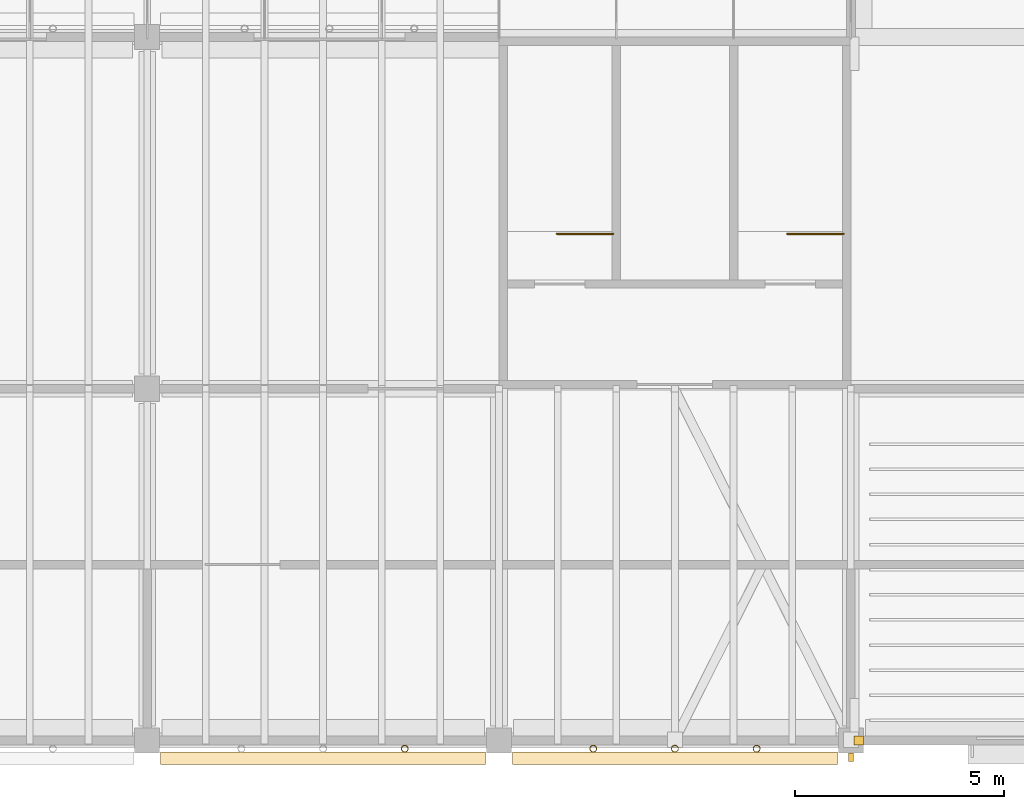
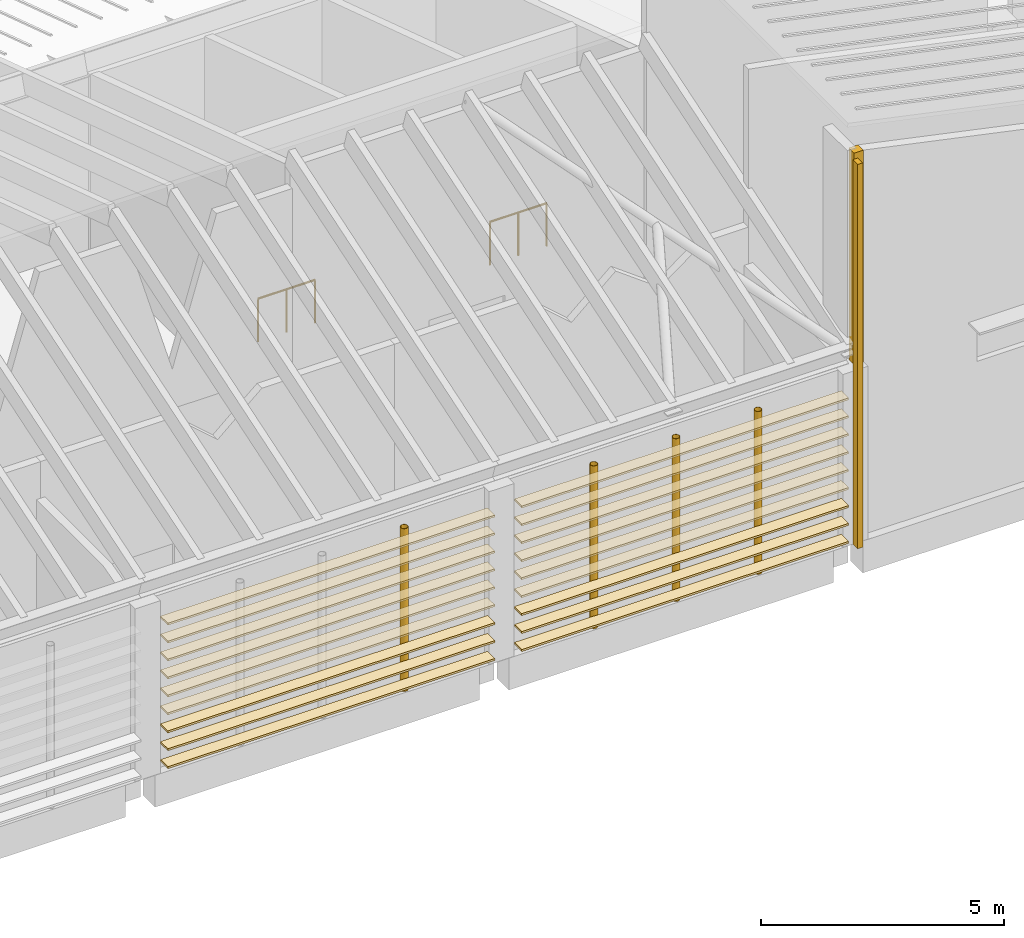
# One storey, part 49 of 59: 19 coverings, 5 shading devices, 2 railings.
"""IFC4 building model written with IfcOpenShell, lengths in metres."""

import ifcopenshell
import ifcopenshell.guid

model = None  # the IFC model being written
_history = None  # IfcOwnerHistory: only IFC2X3 demands one
_inside = {}  # id of a spatial element -> (the spatial element, [elements in it])
_under = {}  # id of a project, library or spatial element -> (it, [spatial elements below it])
_declared = {}  # id of a project -> (the project, [libraries it declares])
_typed = {}  # id of a type object -> (the type object, [elements of that type])
_made_of = {}  # id of a material, layer set ... -> (it, [elements and type objects made of it])


def new_model(schema):
    """Start an empty IFC model of exactly this schema.

    Asked for "IFC4X3", IfcOpenShell would pick the latest addendum, in which some entities
    have other attributes; the version numbers below select the first issue.
    IFC2X3 requires an IfcOwnerHistory on every rooted entity: one is made here for all.
    """
    global model, _history
    if schema == "IFC4X3":
        model = ifcopenshell.file(schema_version=(4, 3, 0, 0))
    else:
        model = ifcopenshell.file(schema=schema)
    _inside.clear()
    _under.clear()
    _declared.clear()
    _typed.clear()
    _made_of.clear()
    _history = None
    if model.schema == "IFC2X3":
        org = make("IfcOrganization", Name="unknown")
        user = make(
            "IfcPersonAndOrganization",
            ThePerson=make("IfcPerson", FamilyName="unknown"),
            TheOrganization=org,
        )
        app = make(
            "IfcApplication",
            ApplicationDeveloper=org,
            Version="unknown",
            ApplicationFullName="unknown",
            ApplicationIdentifier="unknown",
        )
        _history = make(
            "IfcOwnerHistory",
            OwningUser=user,
            OwningApplication=app,
            ChangeAction="ADDED",
            CreationDate=0,
        )
    return model


def make(cls, **values):
    """One entity of the class cls with the attributes given. An attribute that is None is left unset."""
    return model.create_entity(
        cls, **{name: value for name, value in values.items() if value is not None}
    )


def rooted(cls, **values):
    """An entity with a GlobalId (a new one), such as an element, a storey or a relation."""
    return make(cls, GlobalId=ifcopenshell.guid.new(), OwnerHistory=_history, **values)


def si_unit(unit_type, name, prefix=None):
    """IfcSIUnit, for example si_unit("LENGTHUNIT", "METRE", prefix="MILLI")."""
    return make("IfcSIUnit", UnitType=unit_type, Prefix=prefix, Name=name)


def assignment(units):
    """IfcUnitAssignment: the units of a project."""
    return None if units is None else make("IfcUnitAssignment", Units=units)


def point(xyz):
    """IfcCartesianPoint."""
    return None if xyz is None else make("IfcCartesianPoint", Coordinates=xyz)


def direction(xyz):
    """IfcDirection."""
    return None if xyz is None else make("IfcDirection", DirectionRatios=xyz)


def frame(location, z_axis=None, x_axis=None):
    """IfcAxis2Placement3D, a coordinate frame: its origin and axes. An axis left out is left unset."""
    return make(
        "IfcAxis2Placement3D",
        Location=point(location),
        Axis=direction(z_axis),
        RefDirection=direction(x_axis),
    )


def frame_2d(location, x_axis=None):
    """IfcAxis2Placement2D, a coordinate frame in the plane: its origin and x axis."""
    return make(
        "IfcAxis2Placement2D", Location=point(location), RefDirection=direction(x_axis)
    )


def origin():
    """The frame at (0, 0, 0) with its axes left unset."""
    return frame((0.0, 0.0, 0.0))


def origin_2d():
    """The frame at (0, 0) in the plane with its x axis left unset."""
    return frame_2d((0.0, 0.0))


def place(relative_to, where):
    """IfcLocalPlacement: puts the frame where relative to a parent placement (None: the world)."""
    return make(
        "IfcLocalPlacement", PlacementRelTo=relative_to, RelativePlacement=where
    )


def context(
    kind, dimensions, precision=None, world=None, true_north=None, identifier=None
):
    """IfcGeometricRepresentationContext, for example the 3D "Model" context."""
    return make(
        "IfcGeometricRepresentationContext",
        ContextIdentifier=identifier,
        ContextType=kind,
        CoordinateSpaceDimension=dimensions,
        Precision=precision,
        WorldCoordinateSystem=world,
        TrueNorth=true_north,
    )


def subcontext(parent, identifier, kind, view, scale=None):
    """IfcGeometricRepresentationSubContext, for example "Body" below "Model"."""
    return make(
        "IfcGeometricRepresentationSubContext",
        ContextIdentifier=identifier,
        ContextType=kind,
        ParentContext=parent,
        TargetScale=scale,
        TargetView=view,
    )


def project(units=None, contexts=None):
    """IfcProject with its units and contexts."""
    return rooted(
        "IfcProject",
        Name="project",
        RepresentationContexts=contexts,
        UnitsInContext=assignment(units),
    )


def spatial(cls, under=None, at=None, **own):
    """A site, building, storey or space (cls), placed at a placement, below another one or the project."""
    s = rooted(cls, ObjectPlacement=at, **own)
    if under is not None:
        _under.setdefault(under.id(), (under, []))[1].append(s)
    return s


def profile(cls, at=None, kind="AREA", **sizes):
    """A parametric profile (cls). Its sizes go by their IFC names, for example OverallWidth=200.0."""
    return make(cls, ProfileType=kind, Position=at, **sizes)


def rectangle(**sizes):
    """IfcRectangleProfileDef."""
    return profile("IfcRectangleProfileDef", **sizes)


def circle(**sizes):
    """IfcCircleProfileDef."""
    return profile("IfcCircleProfileDef", **sizes)


def hollow_circle(**sizes):
    """IfcCircleHollowProfileDef."""
    return profile("IfcCircleHollowProfileDef", **sizes)


def extrude(swept, where, along, depth):
    """IfcExtrudedAreaSolid: the profile swept, set in the frame where, extruded along a direction by depth."""
    return make(
        "IfcExtrudedAreaSolid",
        SweptArea=swept,
        Position=where,
        ExtrudedDirection=direction(along),
        Depth=depth,
    )


def shape(context_of_items, identifier, shape_type, items):
    """IfcShapeRepresentation: the items that make up one representation, for example the "Body"."""
    return make(
        "IfcShapeRepresentation",
        ContextOfItems=context_of_items,
        RepresentationIdentifier=identifier,
        RepresentationType=shape_type,
        Items=items,
    )


def material(Name=None, Category=None):
    """IfcMaterial."""
    return make("IfcMaterial", Name=Name, Category=Category)


def layer(
    of_material, thickness, ventilated=None, Name=None, Category=None, Priority=None
):
    """IfcMaterialLayer: one layer of a wall or slab, of a material (None: an air gap)."""
    return make(
        "IfcMaterialLayer",
        Material=of_material,
        LayerThickness=thickness,
        IsVentilated=ventilated,
        Name=Name,
        Category=Category,
        Priority=Priority,
    )


def layer_set(layers, Name=None):
    """IfcMaterialLayerSet."""
    return make("IfcMaterialLayerSet", MaterialLayers=layers, LayerSetName=Name)


def material_profile(
    of_material, cross_section, Name=None, Category=None, Priority=None
):
    """IfcMaterialProfile: a cross section and its material."""
    return make(
        "IfcMaterialProfile",
        Name=Name,
        Material=of_material,
        Profile=cross_section,
        Priority=Priority,
        Category=Category,
    )


def profile_set(profiles, Name=None, composite=None):
    """IfcMaterialProfileSet."""
    return make(
        "IfcMaterialProfileSet",
        Name=Name,
        MaterialProfiles=profiles,
        CompositeProfile=composite,
    )


def made_of(thing, what):
    """Note that an element or type object is made of a material, layer set ...; save() writes the relation."""
    if what is not None:
        _made_of.setdefault(what.id(), (what, []))[1].append(thing)
    return thing


def type_object(cls, material=None, **own):
    """A type object (cls), such as IfcWallType, which elements share."""
    return made_of(rooted(cls, **own), material)


def element(
    cls,
    number,
    at=None,
    inside=None,
    cuts=None,
    type_object=None,
    material=None,
    context=None,
    identifier="Body",
    shape_type=None,
    held_by="IfcProductDefinitionShape",
    body=None,
    shapes=None,
    **own,
):
    """One element of the class cls, such as IfcWall. Its Tag is "e" and its number.

    at: its placement. inside: the storey or other place that contains it. cuts: it is an
    opening in that element (IfcRelVoidsElement). A single representation is given by context,
    identifier, shape_type and body (its items); several are given by shapes. held_by: the class
    of the entity that holds the representations. save() writes the other relations.
    """
    e = rooted(cls, Tag="e%d" % number, ObjectPlacement=at, **own)
    if body is not None:
        shapes = [shape(context, identifier, shape_type, body)]
    if shapes is not None:
        e.Representation = make(held_by, Representations=shapes)
    if inside is not None:
        _inside.setdefault(inside.id(), (inside, []))[1].append(e)
    if cuts is not None:
        rooted(
            "IfcRelVoidsElement", RelatingBuildingElement=cuts, RelatedOpeningElement=e
        )
    if type_object is not None:
        _typed.setdefault(type_object.id(), (type_object, []))[1].append(e)
    return made_of(e, material)


def aggregate(whole, parts):
    """IfcRelAggregates: a whole, such as a stair, and the parts it consists of."""
    return rooted("IfcRelAggregates", RelatingObject=whole, RelatedObjects=parts)


def save(model, path):
    """Write the relations noted so far, then the file.

    IfcRelAggregates (storeys below a building ...), IfcRelContainedInSpatialStructure (elements
    in a storey), IfcRelDefinesByType, IfcRelAssociatesMaterial and IfcRelDeclares: one each for
    every whole, place, type object, material and project.
    """
    for whole, parts in _under.values():
        aggregate(whole, parts)
    for where, things in _inside.values():
        rooted(
            "IfcRelContainedInSpatialStructure",
            RelatedElements=things,
            RelatingStructure=where,
        )
    for kind, things in _typed.values():
        rooted("IfcRelDefinesByType", RelatedObjects=things, RelatingType=kind)
    for what, things in _made_of.values():
        rooted("IfcRelAssociatesMaterial", RelatedObjects=things, RelatingMaterial=what)
    for by, libraries in _declared.values():
        rooted("IfcRelDeclares", RelatingContext=by, RelatedDefinitions=libraries)
    model.write(path)


model = new_model("IFC4")

# Units and contexts
model_context = context("Model", 3, precision=1e-05, world=origin(), true_north=direction((0.0, 1.0)))
body_context = subcontext(model_context, "Body", "Model", "MODEL_VIEW")
ifc_project = project(units=[si_unit("LENGTHUNIT", "METRE"), si_unit("AREAUNIT", "SQUARE_METRE"), si_unit("VOLUMEUNIT", "CUBIC_METRE"), si_unit("PLANEANGLEUNIT", "RADIAN"), si_unit("MASSUNIT", "GRAM", prefix="KILO")], contexts=[model_context])

# Site, building, storey
site_placement = place(None, origin())
site = spatial("IfcSite", under=ifc_project, at=site_placement, CompositionType="ELEMENT")
building_placement = place(site_placement, origin())
building = spatial("IfcBuilding", under=site, at=building_placement, Name="Almond Square Museum", CompositionType="ELEMENT")
storey_placement = place(building_placement, frame((0.0, 0.0, 25.0)))
storey = spatial("IfcBuildingStorey", under=building, at=storey_placement, Name="L04", CompositionType="ELEMENT", Elevation=25.0)

# Shading devices
ifc_material_1 = material(Name="Structural steel S355", Category="steel")
ifc_material_profile_1 = material_profile(ifc_material_1, hollow_circle(Radius=0.084228515625, WallThickness=0.008056640625, at=origin_2d()))
ifc_profile_set_1 = profile_set([ifc_material_profile_1], Name="Structural steel S355")
shading_device_type_1 = type_object("IfcShadingDeviceType", Name="Louvre post CHS 168.3 x 8", PredefinedType="USERDEFINED", material=ifc_profile_set_1)
for number, where, z_axis, x_axis, name in (
    (1, (121.35009765625, -0.194091796875, 0.0), (0.0, 0.0, 1.0), (1.0, 0.0, 0.0), "Louvre screen post"),
    (2, (125.85009765625, -0.194091796875, 0.0), (0.0, 0.0, 1.0), (1.0, 0.0, 0.0), "Louvre screen post"),
    (3, (127.800048828125, -0.194091796875, 0.0), (0.0, 0.0, 1.0), (1.0, 0.0, 0.0), "Louvre screen post"),
    (4, (129.75, -0.194091796875, 0.0), (0.0, 0.0, 1.0), (1.0, 0.0, 0.0), "Louvre screen post"),
):
    element("IfcShadingDevice", number, at=place(storey_placement, frame(where, z_axis=z_axis, x_axis=x_axis)), inside=storey, type_object=shading_device_type_1, Name=name, ObjectType="POST", PredefinedType="USERDEFINED", context=body_context, shape_type="SweptSolid", body=[
        extrude(hollow_circle(Radius=0.084228515625, WallThickness=0.008056640625, at=origin_2d()), origin(), (0.0, 0.0, 1.0), 4.08447265625),
    ])

# Coverings
ifc_material_2 = material(Name="Cedar timber louvre board", Category="wood")
ifc_material_profile_2 = material_profile(ifc_material_2, rectangle(XDim=0.300048828125, YDim=0.050048828125, at=origin_2d()))
ifc_profile_set_2 = profile_set([ifc_material_profile_2], Name="Cedar timber louvre board")
covering_type_1 = type_object("IfcCoveringType", Name="Louvre screen board 300 x 50", PredefinedType="CLADDING", material=ifc_profile_set_2)
for number, where, z_axis, x_axis, name in (
    (5, (115.52001953125, -0.42431640625, 0.300048828125), (1.0, 0.0, 0.0), (0.0, 1.0, 0.0), "Louvre screen board"),
    (6, (115.52001953125, -0.42431640625, 0.75), (1.0, 0.0, 0.0), (0.0, 1.0, 0.0), "Louvre screen board"),
    (7, (115.52001953125, -0.42431640625, 1.199951171875), (1.0, 0.0, 0.0), (0.0, 1.0, 0.0), "Louvre screen board"),
    (8, (115.52001953125, -0.42431640625, 1.64990234375), (1.0, 0.0, 0.0), (0.0, 1.0, 0.0), "Louvre screen board"),
    (9, (115.52001953125, -0.42431640625, 2.10009765625), (1.0, 0.0, 0.0), (0.0, 1.0, 0.0), "Louvre screen board"),
    (10, (115.52001953125, -0.42431640625, 2.550048828125), (1.0, 0.0, 0.0), (0.0, 1.0, 0.0), "Louvre screen board"),
    (11, (115.52001953125, -0.42431640625, 3.0), (1.0, 0.0, 0.0), (0.0, 1.0, 0.0), "Louvre screen board"),
    (12, (115.52001953125, -0.42431640625, 3.449951171875), (1.0, 0.0, 0.0), (0.0, 1.0, 0.0), "Louvre screen board"),
    (13, (115.52001953125, -0.42431640625, 3.89990234375), (1.0, 0.0, 0.0), (0.0, 1.0, 0.0), "Louvre screen board"),
    (14, (123.919921875, -0.42431640625, 0.300048828125), (1.0, 0.0, 0.0), (0.0, 1.0, 0.0), "Louvre screen board"),
    (15, (123.919921875, -0.42431640625, 0.75), (1.0, 0.0, 0.0), (0.0, 1.0, 0.0), "Louvre screen board"),
    (16, (123.919921875, -0.42431640625, 1.199951171875), (1.0, 0.0, 0.0), (0.0, 1.0, 0.0), "Louvre screen board"),
    (17, (123.919921875, -0.42431640625, 1.64990234375), (1.0, 0.0, 0.0), (0.0, 1.0, 0.0), "Louvre screen board"),
    (18, (123.919921875, -0.42431640625, 2.10009765625), (1.0, 0.0, 0.0), (0.0, 1.0, 0.0), "Louvre screen board"),
    (19, (123.919921875, -0.42431640625, 2.550048828125), (1.0, 0.0, 0.0), (0.0, 1.0, 0.0), "Louvre screen board"),
    (20, (123.919921875, -0.42431640625, 3.0), (1.0, 0.0, 0.0), (0.0, 1.0, 0.0), "Louvre screen board"),
    (21, (123.919921875, -0.42431640625, 3.449951171875), (1.0, 0.0, 0.0), (0.0, 1.0, 0.0), "Louvre screen board"),
    (22, (123.919921875, -0.42431640625, 3.89990234375), (1.0, 0.0, 0.0), (0.0, 1.0, 0.0), "Louvre screen board"),
):
    element("IfcCovering", number, at=place(storey_placement, frame(where, z_axis=z_axis, x_axis=x_axis)), inside=storey, type_object=covering_type_1, Name=name, PredefinedType="CLADDING", context=body_context, shape_type="SweptSolid", body=[
        extrude(rectangle(XDim=0.300048828125, YDim=0.050048828125, at=origin_2d()), origin(), (0.0, 0.0, 1.0), 7.760009765625),
    ])

# Railings
ifc_material_3 = material(Name="Stainless steel and laminated glass", Category="steel")
railing_type = type_object("IfcRailingType", Name="Stair guard 1100 steel and glass", PredefinedType="GUARDRAIL", material=ifc_material_3)
for number, where, name in (
    (23, (126.330078125, 12.10009765625, 0.0), "L04 ST-31 top well guard 1"),
    (24, (131.830078125, 12.10009765625, 0.0), "L04 ST-32 top well guard 1"),
):
    element("IfcRailing", number, at=place(storey_placement, frame(where)), inside=storey, type_object=railing_type, Name=name, PredefinedType="GUARDRAIL", context=body_context, shape_type="SweptSolid", body=[
        extrude(circle(Radius=0.02392578125, at=origin_2d()), frame((0.0, 0.0, 1.076171875), z_axis=(-1.0, 0.0, 0.0), x_axis=(0.0, -1.0, 0.0)), (0.0, 0.0, 1.0), 1.35009765625),
        extrude(circle(Radius=0.02099609375, at=origin_2d()), origin(), (0.0, 0.0, 1.0), 1.052001953125),
        extrude(circle(Radius=0.02099609375, at=origin_2d()), frame((-0.675048828125, 0.0, 0.0)), (0.0, 0.0, 1.0), 1.052001953125),
        extrude(circle(Radius=0.02099609375, at=origin_2d()), frame((-1.35009765625, 0.0, 0.0)), (0.0, 0.0, 1.0), 1.052001953125),
    ])

# Shading device
ifc_material_4 = material(Name="Anodised aluminium", Category="aluminium")
ifc_material_profile_3 = material_profile(ifc_material_4, rectangle(XDim=0.199951171875, YDim=0.1201171875, at=origin_2d()))
ifc_profile_set_3 = profile_set([ifc_material_profile_3], Name="Anodised aluminium")
shading_device_type_2 = type_object("IfcShadingDeviceType", Name="Vertical aluminium fin 200 x 120", PredefinedType="USERDEFINED", material=ifc_profile_set_3)
shading_device_placement = place(storey_placement, frame((132.0, -0.39794921875, 0.0), z_axis=(0.0, 0.0, 1.0), x_axis=(0.0, -1.0, 0.0)))
element("IfcShadingDevice", 25, at=shading_device_placement, inside=storey, type_object=shading_device_type_2, Name="Vertical fin V5E L04 S01", ObjectType="FIN", PredefinedType="USERDEFINED", context=body_context, shape_type="SweptSolid", body=[
    extrude(rectangle(XDim=0.199951171875, YDim=0.1201171875, at=origin_2d()), origin(), (0.0, 0.0, 1.0), 9.6455078125),
])

# Covering
ifc_material_5 = material(Name="Cladding panel to match the wall")
ifc_layer = layer(ifc_material_5, 0.050048828125)
ifc_layer_set = layer_set([ifc_layer], Name="Cladding panel to match the wall")
covering_type_2 = type_object("IfcCoveringType", Name="Wall end closure panel", PredefinedType="CLADDING", material=ifc_layer_set)
covering_placement = place(storey_placement, frame((132.18994140625, 0.0, 4.3349609375), z_axis=(0.0, 0.0, 1.0), x_axis=(1.0, 0.0, 0.0)))
element("IfcCovering", 26, at=covering_placement, inside=storey, type_object=covering_type_2, Name="Wall end closure panel", PredefinedType="CLADDING", context=body_context, shape_type="SweptSolid", body=[
    extrude(rectangle(XDim=0.219970703125, YDim=0.219970703125, at=origin_2d()), origin(), (0.0, 0.0, 1.0), 5.310546875),
])

save(model, "model.ifc")
